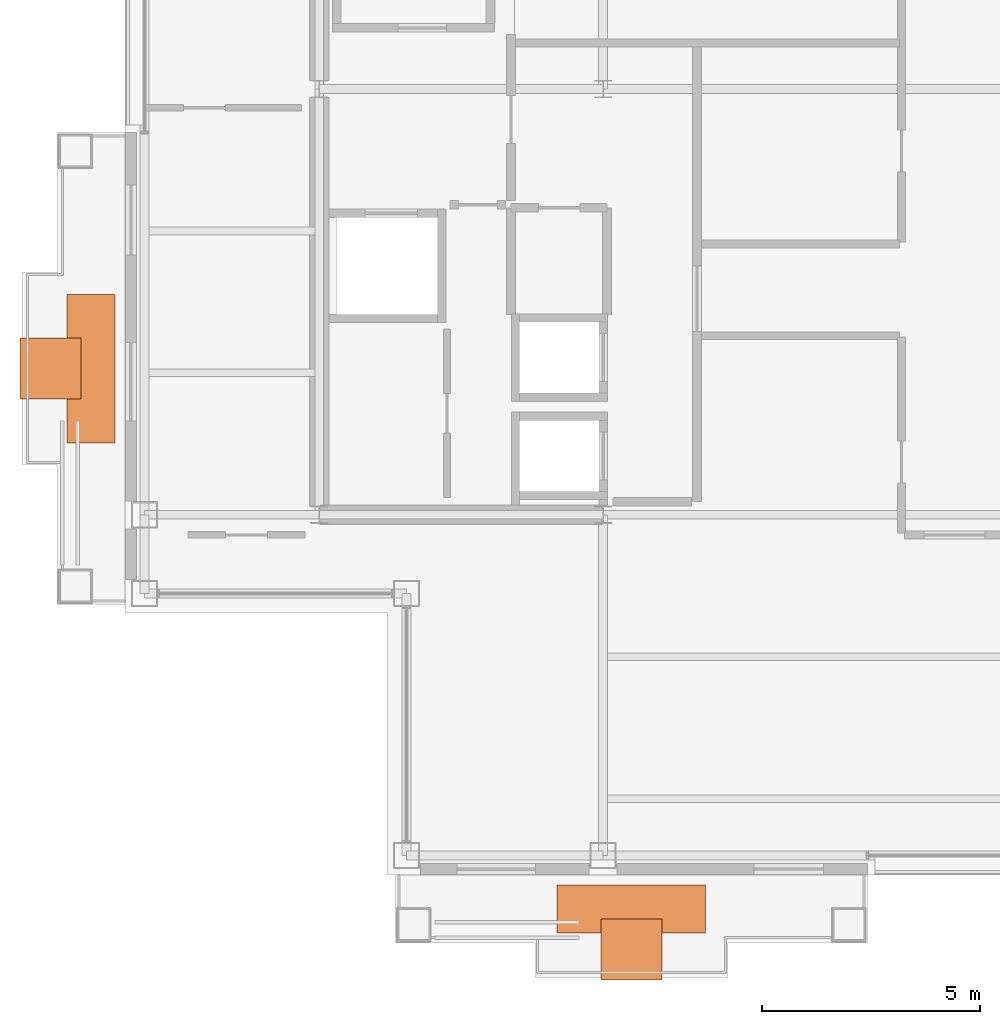
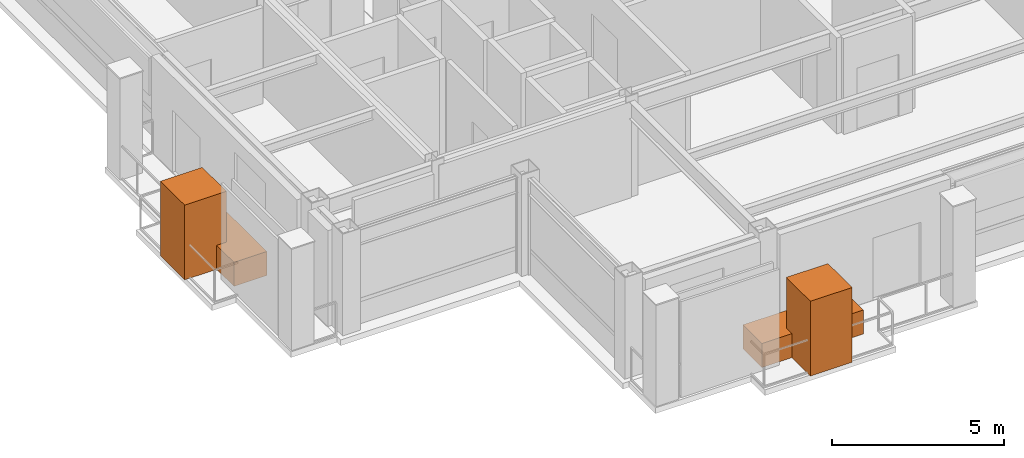
# One storey, part 27 of 27: 4 proxies.
"""IFC4 building model written with IfcOpenShell, lengths in metres."""

from ifc_helpers import new_model, si_unit, direction, frame, origin, origin_2d, place, context, subcontext, project, spatial, rectangle, extrude, material, type_object, element, save


model = new_model("IFC4")

# Units and contexts
model_context = context("Model", 3, precision=1e-05, world=origin(), true_north=direction((0.0, 1.0)))
body_context = subcontext(model_context, "Body", "Model", "MODEL_VIEW")
ifc_project = project(units=[si_unit("LENGTHUNIT", "METRE"), si_unit("AREAUNIT", "SQUARE_METRE"), si_unit("VOLUMEUNIT", "CUBIC_METRE"), si_unit("PLANEANGLEUNIT", "RADIAN"), si_unit("MASSUNIT", "GRAM", prefix="KILO")], contexts=[model_context])

# Site, building, storey
site_placement = place(None, origin())
site = spatial("IfcSite", under=ifc_project, at=site_placement, CompositionType="ELEMENT")
building_placement = place(site_placement, origin())
building = spatial("IfcBuilding", under=site, at=building_placement, Name="Brelmoor Portico Tower", CompositionType="ELEMENT")
storey_placement = place(building_placement, frame((0.0, 0.0, 250.800048828125)))
storey = spatial("IfcBuildingStorey", under=building, at=storey_placement, Name="L66", CompositionType="ELEMENT", Elevation=250.800048828125)

# Proxies
ifc_material_1 = material(Name="Planted Canopy Tree and Soil Rootball", Category="other")
building_element_proxy_type_1 = type_object("IfcBuildingElementProxyType", Name="BALCONY TREE ARBOR", PredefinedType="USERDEFINED", material=ifc_material_1)
for number, where, z_axis, x_axis, name in (
    (1, (-7.39990234375, -19.699951171875, 0.0), (0.0, 0.0, 1.0), (1.0, 0.0, 0.0), "L66 Balcony PLANTER Tree Canopy Arbor S"),
    (2, (-20.699951171875, -6.39990234375, 0.0), (0.0, 0.0, 1.0), (1.0, 0.0, 0.0), "L66 Balcony PLANTER Tree Canopy Arbor W"),
):
    element("IfcBuildingElementProxy", number, at=place(storey_placement, frame(where, z_axis=z_axis, x_axis=x_axis)), inside=storey, type_object=building_element_proxy_type_1, Name=name, ObjectType="PLANTER", PredefinedType="USERDEFINED", context=body_context, shape_type="SweptSolid", body=[
        extrude(rectangle(XDim=1.39990234375, YDim=1.39990234375, at=origin_2d()), origin(), (0.0, 0.0, 1.0), 2.64990234375),
    ])
ifc_material_2 = material(Name="Architectural Precast Concrete C40", Category="concrete")
building_element_proxy_type_2 = type_object("IfcBuildingElementProxyType", Name="TREE PLANTER", PredefinedType="USERDEFINED", material=ifc_material_2)
for number, where, z_axis, x_axis, name in (
    (3, (-7.39990234375, -18.77490234375, 0.0), (0.0, 0.0, 1.0), (1.0, 0.0, 0.0), "L66 Planted Tree Planter S"),
    (4, (-19.77490234375, -6.39990234375, 0.0), (0.0, 0.0, 1.0), (0.0, 1.0, 0.0), "L66 Planted Tree Planter W"),
):
    element("IfcBuildingElementProxy", number, at=place(storey_placement, frame(where, z_axis=z_axis, x_axis=x_axis)), inside=storey, type_object=building_element_proxy_type_2, Name=name, ObjectType="PLANTER", PredefinedType="USERDEFINED", context=body_context, shape_type="SweptSolid", body=[
        extrude(rectangle(XDim=3.39990234375, YDim=1.10009765625, at=origin_2d()), origin(), (0.0, 0.0, 1.0), 0.85009765625),
    ])

save(model, "model.ifc")
